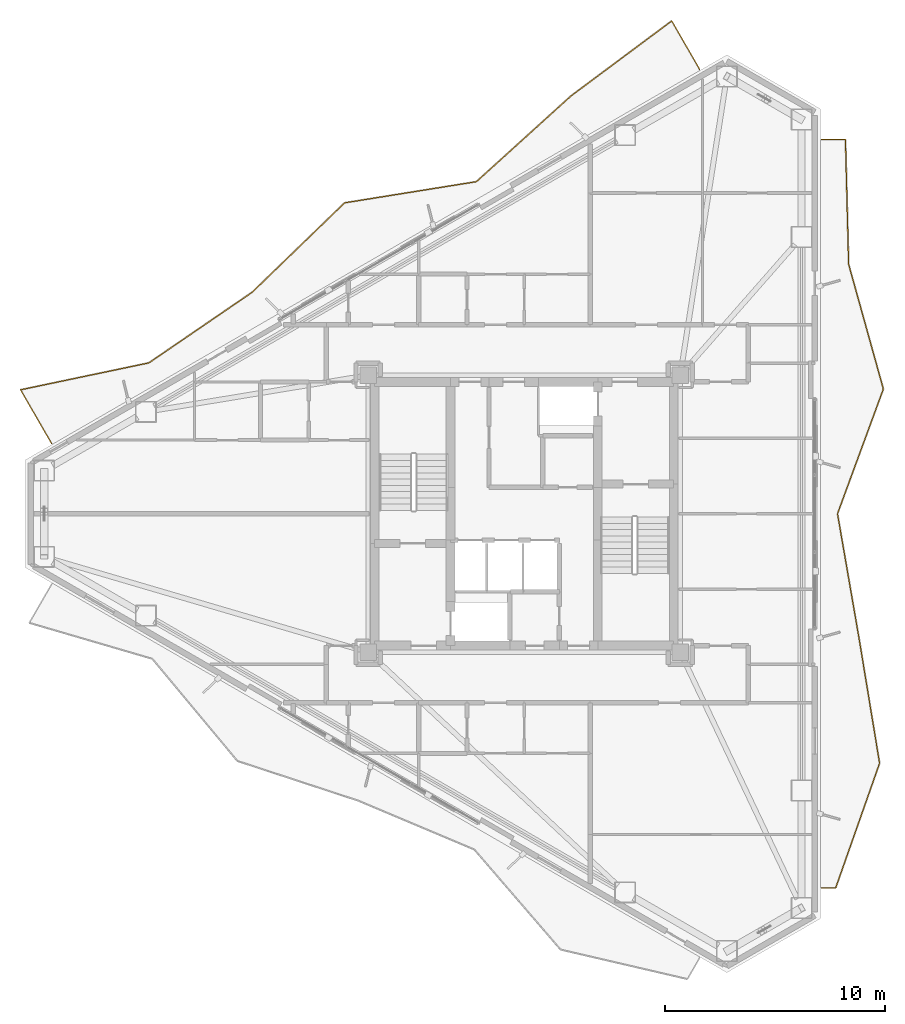
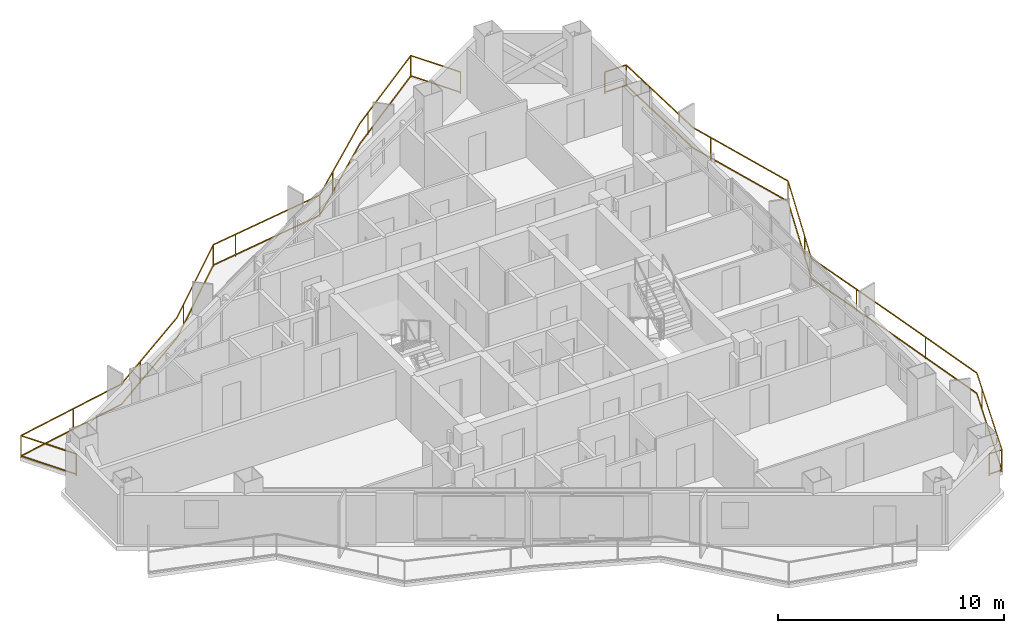
# One storey, part 18 of 18: 2 railings.
"""IFC4 building model written with IfcOpenShell, lengths in metres."""

from ifc_helpers import new_model, si_unit, direction, frame, origin, origin_2d, place, context, subcontext, project, spatial, rectangle, extrude, material, type_object, element, save


model = new_model("IFC4")

# Units and contexts
model_context = context("Model", 3, precision=1e-05, world=origin(), true_north=direction((0.0, 1.0)))
body_context = subcontext(model_context, "Body", "Model", "MODEL_VIEW")
ifc_project = project(units=[si_unit("LENGTHUNIT", "METRE"), si_unit("AREAUNIT", "SQUARE_METRE"), si_unit("VOLUMEUNIT", "CUBIC_METRE"), si_unit("PLANEANGLEUNIT", "RADIAN"), si_unit("MASSUNIT", "GRAM", prefix="KILO")], contexts=[model_context])

# Site, building, storey
site_placement = place(None, origin())
site = spatial("IfcSite", under=ifc_project, at=site_placement, CompositionType="ELEMENT")
building_placement = place(site_placement, origin())
building = spatial("IfcBuilding", under=site, at=building_placement, Name="Mersakhor Tower and Convention Hall", CompositionType="ELEMENT")
storey_placement = place(building_placement, frame((0.0, 0.0, 150.89990234375)))
storey = spatial("IfcBuildingStorey", under=building, at=storey_placement, Name="L42", CompositionType="ELEMENT", Elevation=150.89990234375)

# Railings
ifc_material = material(Name="Powder-coated galvanised steel and laminated glass balustrade", Category="steel")
railing_type = type_object("IfcRailingType", Name="RL-BAL-1200", PredefinedType="BALUSTRADE", material=ifc_material)
railing_1_placement = place(storey_placement, frame((36.983154296875, 46.969482421875, 0.0)))
element("IfcRailing", 1, at=railing_1_placement, inside=storey, type_object=railing_type, Name="L42 Sinusoidal Balcony Balustrade F1", PredefinedType="BALUSTRADE", context=body_context, shape_type="SweptSolid", body=[
    extrude(rectangle(XDim=0.048095703125, YDim=0.048095703125, at=origin_2d()), frame((0.0, 0.0, 1.17578125), z_axis=(-0.500005339912, 0.866022320763, 0.0), x_axis=(-0.866022320763, -0.500005339912, 0.0)), (0.0, 0.0, 1.0), 2.5400390625),
    extrude(rectangle(XDim=0.048095703125, YDim=0.048095703125, at=origin_2d()), frame((0.0, 0.0, 0.080078125), z_axis=(-0.500005339912, 0.866022320763, 0.0), x_axis=(-0.866022320763, -0.500005339912, 0.0)), (0.0, 0.0, 1.0), 2.5400390625),
    extrude(rectangle(XDim=0.048095703125, YDim=0.048095703125, at=origin_2d()), frame((-1.27001953125, 2.19970703125, 1.17578125), z_axis=(-0.802077080501, -0.597220526217, 0.0), x_axis=(0.597220526217, -0.802077080501, 0.0)), (0.0, 0.0, 1.0), 5.71337890625),
    extrude(rectangle(XDim=0.048095703125, YDim=0.048095703125, at=origin_2d()), frame((-1.27001953125, 2.19970703125, 0.080078125), z_axis=(-0.802077080501, -0.597220526217, 0.0), x_axis=(0.597220526217, -0.802077080501, 0.0)), (0.0, 0.0, 1.0), 5.71337890625),
    extrude(rectangle(XDim=0.048095703125, YDim=0.048095703125, at=origin_2d()), frame((-5.8525390625, -1.21240234375, 1.17578125), z_axis=(-0.740890813886, -0.671625492295, 0.0), x_axis=(0.671625492295, -0.740890813886, 0.0)), (0.0, 0.0, 1.0), 5.80517578125),
    extrude(rectangle(XDim=0.048095703125, YDim=0.048095703125, at=origin_2d()), frame((-5.8525390625, -1.21240234375, 0.080078125), z_axis=(-0.740890813886, -0.671625492295, 0.0), x_axis=(0.671625492295, -0.740890813886, 0.0)), (0.0, 0.0, 1.0), 5.80517578125),
    extrude(rectangle(XDim=0.048095703125, YDim=0.048095703125, at=origin_2d()), frame((-10.153564453125, -5.111328125, 1.17578125), z_axis=(-0.987331270999, -0.158672497013, 0.0), x_axis=(0.158672497013, -0.987331270999, 0.0)), (0.0, 0.0, 1.0), 6.072998046875),
    extrude(rectangle(XDim=0.048095703125, YDim=0.048095703125, at=origin_2d()), frame((-10.153564453125, -5.111328125, 0.080078125), z_axis=(-0.987331270999, -0.158672497013, 0.0), x_axis=(0.158672497013, -0.987331270999, 0.0)), (0.0, 0.0, 1.0), 6.072998046875),
    extrude(rectangle(XDim=0.048095703125, YDim=0.048095703125, at=origin_2d()), frame((-16.149658203125, -6.074951171875, 1.17578125), z_axis=(-0.718779075478, -0.69523854946, 0.0), x_axis=(0.69523854946, -0.718779075478, 0.0)), (0.0, 0.0, 1.0), 5.849365234375),
    extrude(rectangle(XDim=0.048095703125, YDim=0.048095703125, at=origin_2d()), frame((-16.149658203125, -6.074951171875, 0.080078125), z_axis=(-0.718779075478, -0.69523854946, 0.0), x_axis=(0.69523854946, -0.718779075478, 0.0)), (0.0, 0.0, 1.0), 5.849365234375),
    extrude(rectangle(XDim=0.048095703125, YDim=0.048095703125, at=origin_2d()), frame((-20.35400390625, -10.1416015625, 1.17578125), z_axis=(-0.82542509489, -0.564511658628, 0.0), x_axis=(0.564511658628, -0.82542509489, 0.0)), (0.0, 0.0, 1.0), 5.69091796875),
    extrude(rectangle(XDim=0.048095703125, YDim=0.048095703125, at=origin_2d()), frame((-20.35400390625, -10.1416015625, 0.080078125), z_axis=(-0.82542509489, -0.564511658628, 0.0), x_axis=(0.564511658628, -0.82542509489, 0.0)), (0.0, 0.0, 1.0), 5.69091796875),
    extrude(rectangle(XDim=0.048095703125, YDim=0.048095703125, at=origin_2d()), frame((-25.051513671875, -13.354248046875, 1.17578125), z_axis=(-0.97866804928, -0.205447923617, 0.0), x_axis=(0.205447923617, -0.97866804928, 0.0)), (0.0, 0.0, 1.0), 5.971435546875),
    extrude(rectangle(XDim=0.048095703125, YDim=0.048095703125, at=origin_2d()), frame((-25.051513671875, -13.354248046875, 0.080078125), z_axis=(-0.97866804928, -0.205447923617, 0.0), x_axis=(0.205447923617, -0.97866804928, 0.0)), (0.0, 0.0, 1.0), 5.971435546875),
    extrude(rectangle(XDim=0.048095703125, YDim=0.048095703125, at=origin_2d()), frame((-30.8955078125, -14.5810546875, 1.17578125), z_axis=(0.500049687543, -0.865996714767, 0.0), x_axis=(0.865996714767, 0.500049687543, 0.0)), (0.0, 0.0, 1.0), 2.820068359375),
    extrude(rectangle(XDim=0.048095703125, YDim=0.048095703125, at=origin_2d()), frame((-30.8955078125, -14.5810546875, 0.080078125), z_axis=(0.500049687543, -0.865996714767, 0.0), x_axis=(0.865996714767, 0.500049687543, 0.0)), (0.0, 0.0, 1.0), 2.820068359375),
    extrude(rectangle(XDim=0.0419921875, YDim=0.0419921875, at=origin_2d()), origin(), (0.0, 0.0, 1.0), 1.15185546875),
    extrude(rectangle(XDim=0.0419921875, YDim=0.0419921875, at=origin_2d()), frame((-1.27001953125, 2.19970703125, 0.0)), (0.0, 0.0, 1.0), 1.15185546875),
    extrude(rectangle(XDim=0.0419921875, YDim=0.0419921875, at=origin_2d()), frame((-5.119873046875, -0.6669921875, 0.0)), (0.0, 0.0, 1.0), 1.15185546875),
    extrude(rectangle(XDim=0.0419921875, YDim=0.0419921875, at=origin_2d()), frame((-8.732177734375, -3.82275390625, 0.0)), (0.0, 0.0, 1.0), 1.15185546875),
    extrude(rectangle(XDim=0.0419921875, YDim=0.0419921875, at=origin_2d()), frame((-10.153564453125, -5.111328125, 0.0)), (0.0, 0.0, 1.0), 1.15185546875),
    extrude(rectangle(XDim=0.0419921875, YDim=0.0419921875, at=origin_2d()), frame((-14.892822265625, -5.873046875, 0.0)), (0.0, 0.0, 1.0), 1.15185546875),
    extrude(rectangle(XDim=0.0419921875, YDim=0.0419921875, at=origin_2d()), frame((-16.149658203125, -6.074951171875, 0.0)), (0.0, 0.0, 1.0), 1.15185546875),
    extrude(rectangle(XDim=0.0419921875, YDim=0.0419921875, at=origin_2d()), frame((-19.599853515625, -9.412109375, 0.0)), (0.0, 0.0, 1.0), 1.15185546875),
    extrude(rectangle(XDim=0.0419921875, YDim=0.0419921875, at=origin_2d()), frame((-23.449951171875, -12.259033203125, 0.0)), (0.0, 0.0, 1.0), 1.15185546875),
    extrude(rectangle(XDim=0.0419921875, YDim=0.0419921875, at=origin_2d()), frame((-27.85009765625, -13.941650390625, 0.0)), (0.0, 0.0, 1.0), 1.15185546875),
    extrude(rectangle(XDim=0.0419921875, YDim=0.0419921875, at=origin_2d()), frame((-30.8955078125, -14.5810546875, 0.0)), (0.0, 0.0, 1.0), 1.15185546875),
    extrude(rectangle(XDim=0.0419921875, YDim=0.0419921875, at=origin_2d()), frame((-29.4853515625, -17.023193359375, 0.0)), (0.0, 0.0, 1.0), 1.15185546875),
])
railing_2_placement = place(storey_placement, frame((42.519287109375, 9.726806640625, 0.0)))
element("IfcRailing", 2, at=railing_2_placement, inside=storey, type_object=railing_type, Name="L42 Sinusoidal Balcony Balustrade F2", PredefinedType="BALUSTRADE", context=body_context, shape_type="SweptSolid", body=[
    extrude(rectangle(XDim=0.048095703125, YDim=0.048095703125, at=origin_2d()), frame((0.0, 0.0, 1.17578125), z_axis=(1.0, 0.0, 0.0), x_axis=(0.0, 1.0, 0.0)), (0.0, 0.0, 1.0), 0.64990234375),
    extrude(rectangle(XDim=0.048095703125, YDim=0.048095703125, at=origin_2d()), frame((0.0, 0.0, 0.080078125), z_axis=(1.0, 0.0, 0.0), x_axis=(0.0, 1.0, 0.0)), (0.0, 0.0, 1.0), 0.64990234375),
    extrude(rectangle(XDim=0.048095703125, YDim=0.048095703125, at=origin_2d()), frame((0.64990234375, 0.0, 1.17578125), z_axis=(0.332204448729, 0.94320740256, 0.0), x_axis=(-0.94320740256, 0.332204448729, 0.0)), (0.0, 0.0, 1.0), 6.015869140625),
    extrude(rectangle(XDim=0.048095703125, YDim=0.048095703125, at=origin_2d()), frame((0.64990234375, 0.0, 0.080078125), z_axis=(0.332204448729, 0.94320740256, 0.0), x_axis=(-0.94320740256, 0.332204448729, 0.0)), (0.0, 0.0, 1.0), 6.015869140625),
    extrude(rectangle(XDim=0.048095703125, YDim=0.048095703125, at=origin_2d()), frame((2.6484375, 5.67431640625, 1.17578125), z_axis=(-0.162381566776, 0.986728040937, 0.0), x_axis=(-0.986728040937, -0.162381566776, 0.0)), (0.0, 0.0, 1.0), 5.7509765625),
    extrude(rectangle(XDim=0.048095703125, YDim=0.048095703125, at=origin_2d()), frame((2.6484375, 5.67431640625, 0.080078125), z_axis=(-0.162381566776, 0.986728040937, 0.0), x_axis=(-0.986728040937, -0.162381566776, 0.0)), (0.0, 0.0, 1.0), 5.7509765625),
    extrude(rectangle(XDim=0.048095703125, YDim=0.048095703125, at=origin_2d()), frame((1.714599609375, 11.348876953125, 1.17578125), z_axis=(-0.170432192377, 0.985369406772, 0.0), x_axis=(-0.985369406772, -0.170432192377, 0.0)), (0.0, 0.0, 1.0), 5.758544921875),
    extrude(rectangle(XDim=0.048095703125, YDim=0.048095703125, at=origin_2d()), frame((1.714599609375, 11.348876953125, 0.080078125), z_axis=(-0.170432192377, 0.985369406772, 0.0), x_axis=(-0.985369406772, -0.170432192377, 0.0)), (0.0, 0.0, 1.0), 5.758544921875),
    extrude(rectangle(XDim=0.048095703125, YDim=0.048095703125, at=origin_2d()), frame((0.733154296875, 17.023193359375, 1.17578125), z_axis=(0.345142021673, 0.938550470074, 0.0), x_axis=(-0.938550470074, 0.345142021673, 0.0)), (0.0, 0.0, 1.0), 6.0458984375),
    extrude(rectangle(XDim=0.048095703125, YDim=0.048095703125, at=origin_2d()), frame((0.733154296875, 17.023193359375, 0.080078125), z_axis=(0.345142021673, 0.938550470074, 0.0), x_axis=(-0.938550470074, 0.345142021673, 0.0)), (0.0, 0.0, 1.0), 6.0458984375),
    extrude(rectangle(XDim=0.048095703125, YDim=0.048095703125, at=origin_2d()), frame((2.81982421875, 22.697509765625, 1.17578125), z_axis=(-0.268167563503, 0.963372284158, 0.0), x_axis=(-0.963372284158, -0.268167563503, 0.0)), (0.0, 0.0, 1.0), 5.890380859375),
    extrude(rectangle(XDim=0.048095703125, YDim=0.048095703125, at=origin_2d()), frame((2.81982421875, 22.697509765625, 0.080078125), z_axis=(-0.268167563503, 0.963372284158, 0.0), x_axis=(-0.963372284158, -0.268167563503, 0.0)), (0.0, 0.0, 1.0), 5.890380859375),
    extrude(rectangle(XDim=0.048095703125, YDim=0.048095703125, at=origin_2d()), frame((1.240234375, 28.3720703125, 1.17578125), z_axis=(-0.025591821833, 0.999672475692, 0.0), x_axis=(-0.999672475692, -0.025591821833, 0.0)), (0.0, 0.0, 1.0), 5.67626953125),
    extrude(rectangle(XDim=0.048095703125, YDim=0.048095703125, at=origin_2d()), frame((1.240234375, 28.3720703125, 0.080078125), z_axis=(-0.025591821833, 0.999672475692, 0.0), x_axis=(-0.999672475692, -0.025591821833, 0.0)), (0.0, 0.0, 1.0), 5.67626953125),
    extrude(rectangle(XDim=0.048095703125, YDim=0.048095703125, at=origin_2d()), frame((1.094970703125, 34.04638671875, 1.17578125), z_axis=(-1.0, 0.0, 0.0), x_axis=(0.0, -1.0, 0.0)), (0.0, 0.0, 1.0), 1.094970703125),
    extrude(rectangle(XDim=0.048095703125, YDim=0.048095703125, at=origin_2d()), frame((1.094970703125, 34.04638671875, 0.080078125), z_axis=(-1.0, 0.0, 0.0), x_axis=(0.0, -1.0, 0.0)), (0.0, 0.0, 1.0), 1.094970703125),
    extrude(rectangle(XDim=0.0419921875, YDim=0.0419921875, at=origin_2d()), origin(), (0.0, 0.0, 1.0), 1.15185546875),
    extrude(rectangle(XDim=0.0419921875, YDim=0.0419921875, at=origin_2d()), frame((0.64990234375, 0.0, 0.0)), (0.0, 0.0, 1.0), 1.15185546875),
    extrude(rectangle(XDim=0.0419921875, YDim=0.0419921875, at=origin_2d()), frame((2.244384765625, 4.52734375, 0.0)), (0.0, 0.0, 1.0), 1.15185546875),
    extrude(rectangle(XDim=0.0419921875, YDim=0.0419921875, at=origin_2d()), frame((2.06640625, 9.210693359375, 0.0)), (0.0, 0.0, 1.0), 1.15185546875),
    extrude(rectangle(XDim=0.0419921875, YDim=0.0419921875, at=origin_2d()), frame((1.265869140625, 13.943603515625, 0.0)), (0.0, 0.0, 1.0), 1.15185546875),
    extrude(rectangle(XDim=0.0419921875, YDim=0.0419921875, at=origin_2d()), frame((1.31103515625, 18.594970703125, 0.0)), (0.0, 0.0, 1.0), 1.15185546875),
    extrude(rectangle(XDim=0.0419921875, YDim=0.0419921875, at=origin_2d()), frame((2.81982421875, 22.697509765625, 0.0)), (0.0, 0.0, 1.0), 1.15185546875),
    extrude(rectangle(XDim=0.0419921875, YDim=0.0419921875, at=origin_2d()), frame((1.53271484375, 27.32177734375, 0.0)), (0.0, 0.0, 1.0), 1.15185546875),
    extrude(rectangle(XDim=0.0419921875, YDim=0.0419921875, at=origin_2d()), frame((1.145263671875, 32.08056640625, 0.0)), (0.0, 0.0, 1.0), 1.15185546875),
    extrude(rectangle(XDim=0.0419921875, YDim=0.0419921875, at=origin_2d()), frame((1.094970703125, 34.04638671875, 0.0)), (0.0, 0.0, 1.0), 1.15185546875),
    extrude(rectangle(XDim=0.0419921875, YDim=0.0419921875, at=origin_2d()), frame((0.0, 34.04638671875, 0.0)), (0.0, 0.0, 1.0), 1.15185546875),
])

save(model, "model.ifc")
